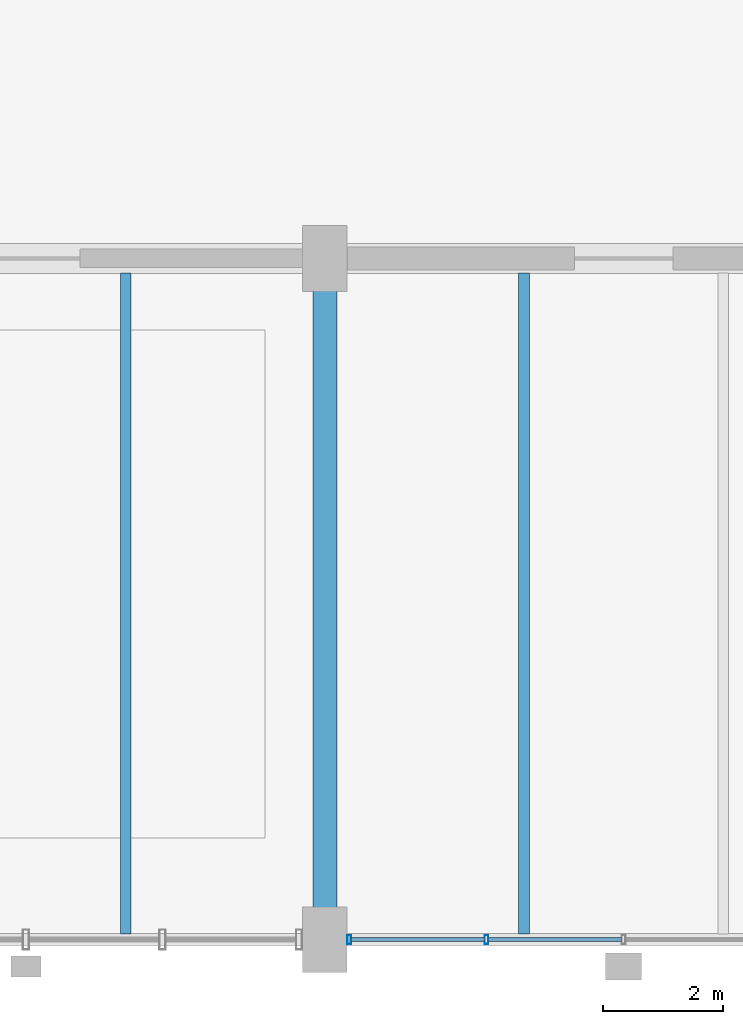
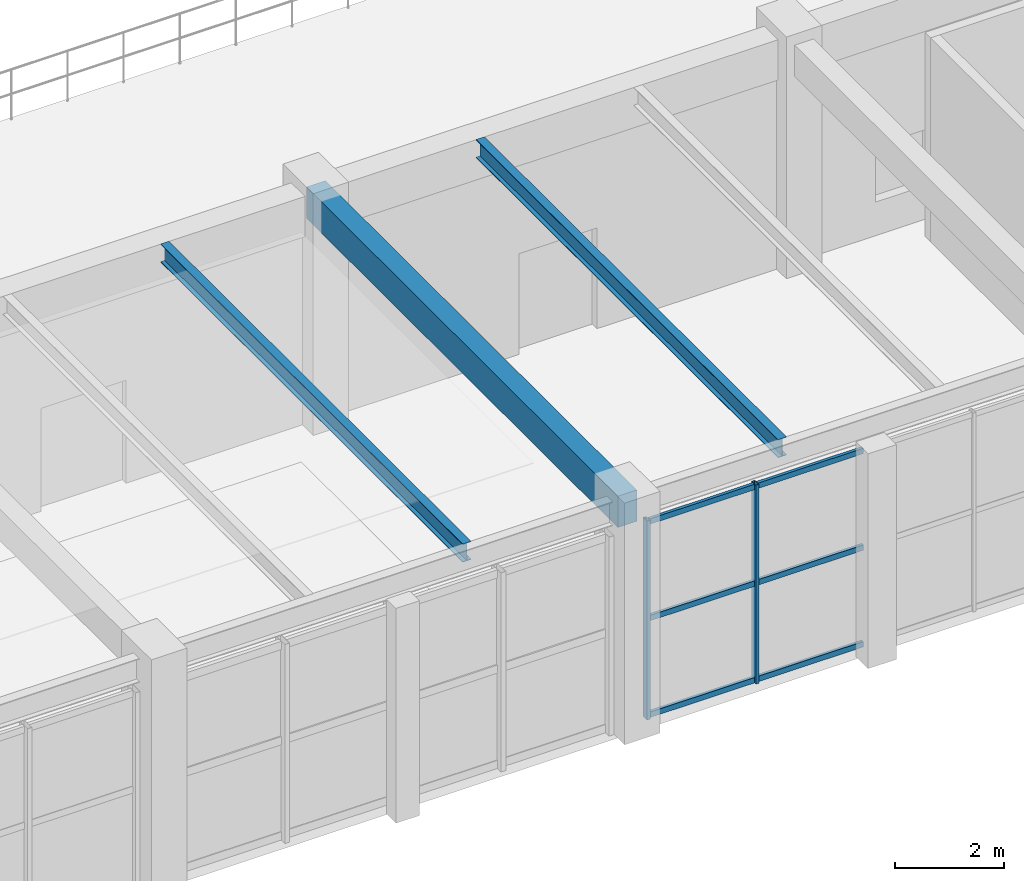
# One storey, part 29 of 106: 8 members, 3 beams, 1 element without a shape of its own.
"""IFC4 building model written with IfcOpenShell, lengths in metres."""

from ifc_helpers import new_model, si_unit, direction, frame, origin, origin_2d, place, context, subcontext, project, spatial, rectangle, hollow_rectangle, i_section, extrude, material, layer, layer_set, material_profile, profile_set, type_object, element, aggregate, save


model = new_model("IFC4")

# Units and contexts
model_context = context("Model", 3, precision=1e-05, world=origin(), true_north=direction((0.0, 1.0)))
body_context = subcontext(model_context, "Body", "Model", "MODEL_VIEW")
ifc_project = project(units=[si_unit("LENGTHUNIT", "METRE"), si_unit("AREAUNIT", "SQUARE_METRE"), si_unit("VOLUMEUNIT", "CUBIC_METRE"), si_unit("PLANEANGLEUNIT", "RADIAN"), si_unit("MASSUNIT", "GRAM", prefix="KILO"), si_unit("POWERUNIT", "WATT"), si_unit("THERMODYNAMICTEMPERATUREUNIT", "KELVIN")], contexts=[model_context])

# Site, building, storey
site_placement = place(None, origin())
site = spatial("IfcSite", under=ifc_project, at=site_placement, CompositionType="ELEMENT")
building_placement = place(site_placement, origin())
building = spatial("IfcBuilding", under=site, at=building_placement, Name="Kelmbourne Parkland Aquatics Centre", CompositionType="ELEMENT")
storey_placement = place(building_placement, frame((0.0, 0.0, 5.39990234375)))
storey = spatial("IfcBuildingStorey", under=building, at=storey_placement, Name="L01", CompositionType="ELEMENT", Elevation=5.39990234375)

# Beams
ifc_material_1 = material(Name="Concrete C40/50", Category="concrete")
ifc_material_profile_1 = material_profile(ifc_material_1, rectangle(XDim=0.39990234375, YDim=0.699951171875, at=origin_2d()), Name="RC 400x700")
ifc_profile_set_1 = profile_set([ifc_material_profile_1], Name="Concrete C40/50")
beam_type_1 = type_object("IfcBeamType", Name="BM-G05", PredefinedType="BEAM", material=ifc_profile_set_1)
beam_placement = place(storey_placement, frame((76.0, 0.800048828125, 4.81005859375), z_axis=(0.0, 1.0, 0.0), x_axis=(-1.0, 0.0, 0.0)))
element("IfcBeam", 1, at=beam_placement, inside=storey, type_object=beam_type_1, Name="Primary girder 01-03 Grid J (L02_FOY)", PredefinedType="BEAM", context=body_context, shape_type="SweptSolid", body=[
    extrude(rectangle(XDim=0.39990234375, YDim=0.699951171875, at=origin_2d()), origin(), (0.0, 0.0, 1.0), 11.39990234375),
])
ifc_material_2 = material(Name="Structural steel AS/NZS 3679.1 Grade 300", Category="steel")
ifc_material_profile_2 = material_profile(ifc_material_2, i_section(OverallWidth=0.177978515625, OverallDepth=0.406005859375, WebThickness=0.0078125, FlangeThickness=0.0126953125, at=origin_2d()), Name="410UB59.7")
ifc_profile_set_2 = profile_set([ifc_material_profile_2], Name="Structural steel AS/NZS 3679.1 Grade 300")
beam_type_2 = type_object("IfcBeamType", Name="BM-J01", PredefinedType="JOIST", material=ifc_profile_set_2)
for number, where, z_axis, x_axis, name in (
    (2, (72.666748046875, 0.896484375, 4.95703125), (0.0, 1.0, 0.0), (-1.0, 0.0, 0.0), "Secondary floor joist I-J/01-03 #2 (L02_FOY)"),
    (3, (79.333251953125, 0.896484375, 4.95703125), (0.0, 1.0, 0.0), (-1.0, 0.0, 0.0), "Secondary floor joist J-K/01-03 #1 (L02_FOY)"),
):
    element("IfcBeam", number, at=place(storey_placement, frame(where, z_axis=z_axis, x_axis=x_axis)), inside=storey, type_object=beam_type_2, Name=name, PredefinedType="JOIST", context=body_context, shape_type="SweptSolid", body=[
        extrude(i_section(OverallWidth=0.177978515625, OverallDepth=0.406005859375, WebThickness=0.0078125, FlangeThickness=0.0126953125, at=origin_2d()), origin(), (0.0, 0.0, 1.0), 11.0615234375),
    ])

# Curtain wall, members
ifc_material_3 = material(Name="Thermally broken anodised aluminium framing", Category="aluminium")
ifc_layer = layer(ifc_material_3, 0.179931640625)
ifc_layer_set = layer_set([ifc_layer], Name="Thermally broken anodised aluminium framing")
curtain_wall_type = type_object("IfcCurtainWallType", Name="CW-21", PredefinedType="NOTDEFINED", material=ifc_layer_set)
curtain_wall_placement = place(storey_placement, origin())
curtain_wall = element("IfcCurtainWall", 4, at=curtain_wall_placement, inside=storey, type_object=curtain_wall_type, Name="Facade curtain wall CW-L01-165", PredefinedType="NOTDEFINED")
ifc_material_profile_3 = material_profile(ifc_material_3, hollow_rectangle(XDim=0.06494140625, YDim=0.14990234375, WallThickness=0.00390625, at=origin_2d()), Name="CW-M 65x150")
ifc_profile_set_3 = profile_set([ifc_material_profile_3], Name="Thermally broken anodised aluminium framing")
member_type_1 = type_object("IfcMemberType", Name="MB-MUL-1", PredefinedType="MULLION", material=ifc_profile_set_3)
member_1_placement = place(storey_placement, frame((76.409423828125, 0.800048828125, 0.0), z_axis=(0.0, 0.0, 1.0), x_axis=(1.0, 0.0, 0.0)))
member_1 = element("IfcMember", 5, at=member_1_placement, type_object=member_type_1, Name="CW-L01-165 mullion 0", PredefinedType="MULLION", context=body_context, shape_type="SweptSolid", body=[
    extrude(hollow_rectangle(XDim=0.06494140625, YDim=0.14990234375, WallThickness=0.00390625, at=origin_2d()), origin(), (0.0, 0.0, 1.0), 4.445068359375),
])
member_2_placement = place(storey_placement, frame((78.704833984375, 0.800048828125, 0.0), z_axis=(0.0, 0.0, 1.0), x_axis=(1.0, 0.0, 0.0)))
member_2 = element("IfcMember", 6, at=member_2_placement, type_object=member_type_1, Name="CW-L01-165 mullion 1", PredefinedType="MULLION", context=body_context, shape_type="SweptSolid", body=[
    extrude(hollow_rectangle(XDim=0.06494140625, YDim=0.14990234375, WallThickness=0.00390625, at=origin_2d()), origin(), (0.0, 0.0, 1.0), 4.445068359375),
])
ifc_material_profile_4 = material_profile(ifc_material_3, hollow_rectangle(XDim=0.06494140625, YDim=0.1201171875, WallThickness=0.00341796875, at=origin_2d()), Name="CW-T 65x120")
ifc_profile_set_4 = profile_set([ifc_material_profile_4], Name="Thermally broken anodised aluminium framing")
member_type_2 = type_object("IfcMemberType", Name="MB-TRN-1", PredefinedType="USERDEFINED", material=ifc_profile_set_4)
member_3_placement = place(storey_placement, frame((76.43798828125, 0.800048828125, 0.06298828125), z_axis=(1.0, 0.0, 0.0), x_axis=(0.0, 1.0, 0.0)))
member_3 = element("IfcMember", 7, at=member_3_placement, type_object=member_type_2, Name="CW-L01-165 transom 0-0", ObjectType="TRANSOM", PredefinedType="USERDEFINED", context=body_context, shape_type="SweptSolid", body=[
    extrude(hollow_rectangle(XDim=0.06494140625, YDim=0.1201171875, WallThickness=0.00341796875, at=origin_2d()), origin(), (0.0, 0.0, 1.0), 2.23828125),
])
member_4_placement = place(storey_placement, frame((78.7333984375, 0.800048828125, 0.06298828125), z_axis=(1.0, 0.0, 0.0), x_axis=(0.0, 1.0, 0.0)))
member_4 = element("IfcMember", 8, at=member_4_placement, type_object=member_type_2, Name="CW-L01-165 transom 0-1", ObjectType="TRANSOM", PredefinedType="USERDEFINED", context=body_context, shape_type="SweptSolid", body=[
    extrude(hollow_rectangle(XDim=0.06494140625, YDim=0.1201171875, WallThickness=0.00341796875, at=origin_2d()), origin(), (0.0, 0.0, 1.0), 2.238037109375),
])
member_5_placement = place(storey_placement, frame((76.43798828125, 0.800048828125, 2.22265625), z_axis=(1.0, 0.0, 0.0), x_axis=(0.0, 1.0, 0.0)))
member_5 = element("IfcMember", 9, at=member_5_placement, type_object=member_type_2, Name="CW-L01-165 transom 1-0", ObjectType="TRANSOM", PredefinedType="USERDEFINED", context=body_context, shape_type="SweptSolid", body=[
    extrude(hollow_rectangle(XDim=0.06494140625, YDim=0.1201171875, WallThickness=0.00341796875, at=origin_2d()), origin(), (0.0, 0.0, 1.0), 2.23828125),
])
member_6_placement = place(storey_placement, frame((78.7333984375, 0.800048828125, 2.22265625), z_axis=(1.0, 0.0, 0.0), x_axis=(0.0, 1.0, 0.0)))
member_6 = element("IfcMember", 10, at=member_6_placement, type_object=member_type_2, Name="CW-L01-165 transom 1-1", ObjectType="TRANSOM", PredefinedType="USERDEFINED", context=body_context, shape_type="SweptSolid", body=[
    extrude(hollow_rectangle(XDim=0.06494140625, YDim=0.1201171875, WallThickness=0.00341796875, at=origin_2d()), origin(), (0.0, 0.0, 1.0), 2.238037109375),
])
member_7_placement = place(storey_placement, frame((76.43798828125, 0.800048828125, 4.382080078125), z_axis=(1.0, 0.0, 0.0), x_axis=(0.0, 1.0, 0.0)))
member_7 = element("IfcMember", 11, at=member_7_placement, type_object=member_type_2, Name="CW-L01-165 transom 2-0", ObjectType="TRANSOM", PredefinedType="USERDEFINED", context=body_context, shape_type="SweptSolid", body=[
    extrude(hollow_rectangle(XDim=0.06494140625, YDim=0.1201171875, WallThickness=0.00341796875, at=origin_2d()), origin(), (0.0, 0.0, 1.0), 2.23828125),
])
member_8_placement = place(storey_placement, frame((78.7333984375, 0.800048828125, 4.382080078125), z_axis=(1.0, 0.0, 0.0), x_axis=(0.0, 1.0, 0.0)))
member_8 = element("IfcMember", 12, at=member_8_placement, type_object=member_type_2, Name="CW-L01-165 transom 2-1", ObjectType="TRANSOM", PredefinedType="USERDEFINED", context=body_context, shape_type="SweptSolid", body=[
    extrude(hollow_rectangle(XDim=0.06494140625, YDim=0.1201171875, WallThickness=0.00341796875, at=origin_2d()), origin(), (0.0, 0.0, 1.0), 2.238037109375),
])
aggregate(curtain_wall, [member_1, member_2, member_3, member_4, member_5, member_6, member_7, member_8])

save(model, "model.ifc")
